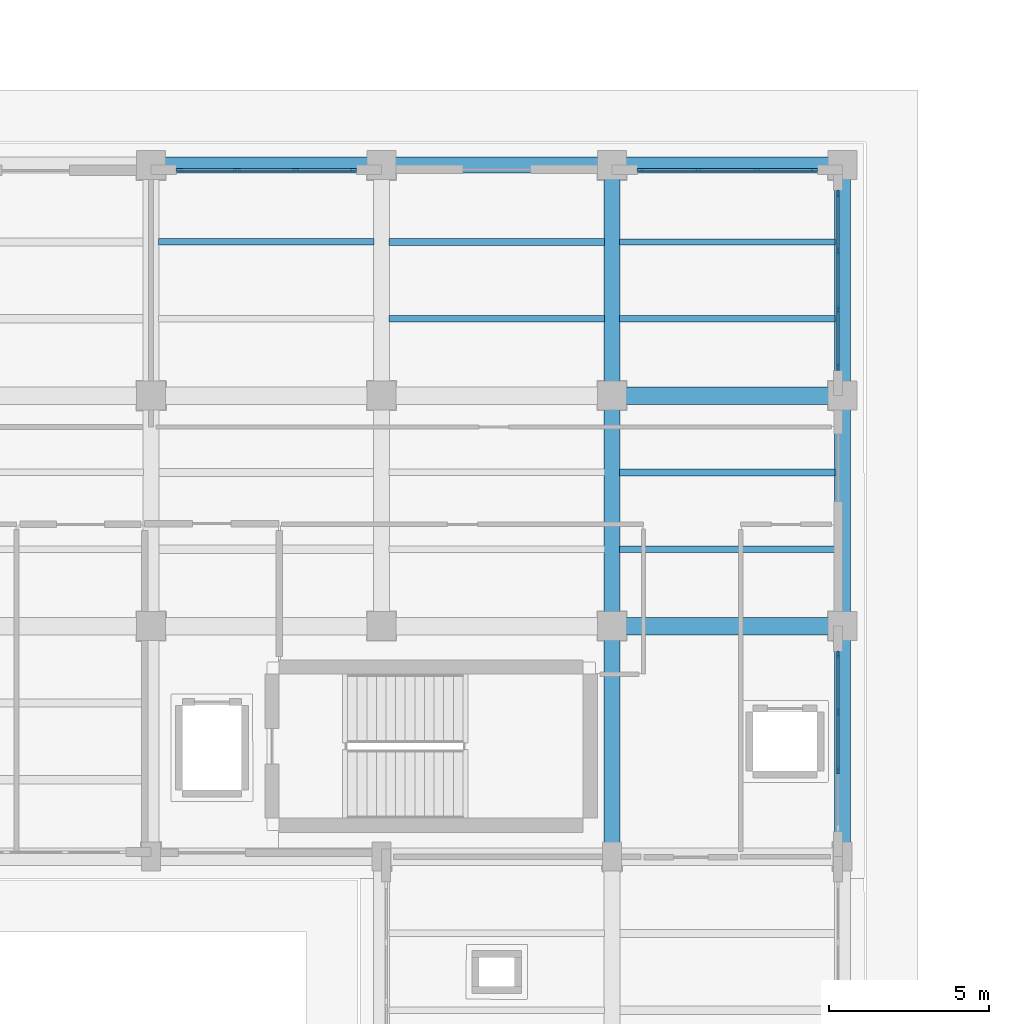
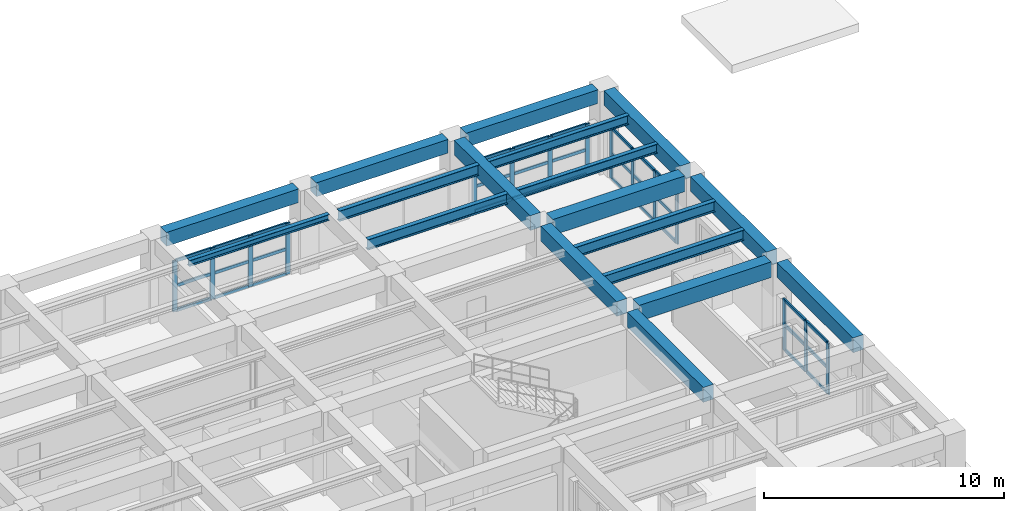
# One storey, part 30 of 64: 48 members, 18 beams, 4 elements without a shape of their own.
"""IFC4 building model written with IfcOpenShell, lengths in metres."""

from ifc_helpers import new_model, si_unit, direction, frame, origin, origin_2d, place, context, subcontext, project, spatial, rectangle, i_section, extrude, material, layer, layer_set, material_profile, profile_set, type_object, element, aggregate, save


model = new_model("IFC4")

# Units and contexts
model_context = context("Model", 3, precision=1e-05, world=origin(), true_north=direction((0.0, 1.0)))
body_context = subcontext(model_context, "Body", "Model", "MODEL_VIEW")
ifc_project = project(units=[si_unit("LENGTHUNIT", "METRE"), si_unit("AREAUNIT", "SQUARE_METRE"), si_unit("VOLUMEUNIT", "CUBIC_METRE"), si_unit("PLANEANGLEUNIT", "RADIAN"), si_unit("MASSUNIT", "GRAM", prefix="KILO")], contexts=[model_context])

# Site, building, storey
site_placement = place(None, origin())
site = spatial("IfcSite", under=ifc_project, at=site_placement, CompositionType="ELEMENT")
building_placement = place(site_placement, origin())
building = spatial("IfcBuilding", under=site, at=building_placement, Name="Solenvale Faculty of Natural Sciences", CompositionType="ELEMENT")
storey_placement = place(building_placement, origin())
storey = spatial("IfcBuildingStorey", under=building, at=storey_placement, Name="L00", CompositionType="ELEMENT", Elevation=0.0)

# Beams
ifc_material_1 = material(Name="Concrete 40 MPa", Category="concrete")
ifc_material_profile_1 = material_profile(ifc_material_1, rectangle(XDim=0.5, YDim=0.75, at=origin_2d()), Name="RC-BM-500x750")
ifc_profile_set_1 = profile_set([ifc_material_profile_1], Name="Concrete 40 MPa")
beam_type_1 = type_object("IfcBeamType", Name="BM-RC-500x750", PredefinedType="BEAM", material=ifc_profile_set_1)
for number, where, z_axis, x_axis, name in (
    (1, (144.0, 94.030029296875, 3.844970703125), (0.0, 1.0, 0.0), (-1.0, 0.0, 0.0), "L00 Y-Girder X144.0 (93.6..100.8)"),
    (2, (144.0, 101.22998046875, 3.844970703125), (0.0, 1.0, 0.0), (-1.0, 0.0, 0.0), "L00 Y-Girder X144.0 (100.8..108.0)"),
    (3, (144.0, 108.429931640625, 3.844970703125), (0.0, 1.0, 0.0), (-1.0, 0.0, 0.0), "L00 Y-Girder X144.0 (108.0..115.2)"),
    (4, (151.199951171875, 94.030029296875, 3.844970703125), (0.0, 1.0, 0.0), (-1.0, 0.0, 0.0), "L00 Y-Girder X151.2 (93.6..100.8)"),
    (5, (151.199951171875, 101.22998046875, 3.844970703125), (0.0, 1.0, 0.0), (-1.0, 0.0, 0.0), "L00 Y-Girder X151.2 (100.8..108.0)"),
    (6, (151.199951171875, 108.429931640625, 3.844970703125), (0.0, 1.0, 0.0), (-1.0, 0.0, 0.0), "L00 Y-Girder X151.2 (108.0..115.2)"),
):
    element("IfcBeam", number, at=place(storey_placement, frame(where, z_axis=z_axis, x_axis=x_axis)), inside=storey, type_object=beam_type_1, Name=name, PredefinedType="BEAM", context=body_context, shape_type="SweptSolid", body=[
        extrude(rectangle(XDim=0.5, YDim=0.75, at=origin_2d()), origin(), (0.0, 0.0, 1.0), 6.340087890625),
    ])
ifc_material_profile_2 = material_profile(ifc_material_1, rectangle(XDim=0.550048828125, YDim=0.800048828125, at=origin_2d()), Name="RC-BM-550x800")
ifc_profile_set_2 = profile_set([ifc_material_profile_2], Name="Concrete 40 MPa")
beam_type_2 = type_object("IfcBeamType", Name="BM-RC-550x800", PredefinedType="BEAM", material=ifc_profile_set_2)
for number, where, z_axis, x_axis, name in (
    (7, (144.429931640625, 100.800048828125, 3.820068359375), (1.0, 0.0, 0.0), (0.0, 1.0, 0.0), "L00 X-Girder Y100.8 (144.0..151.2)"),
    (8, (144.429931640625, 108.0, 3.820068359375), (1.0, 0.0, 0.0), (0.0, 1.0, 0.0), "L00 X-Girder Y108.0 (144.0..151.2)"),
):
    element("IfcBeam", number, at=place(storey_placement, frame(where, z_axis=z_axis, x_axis=x_axis)), inside=storey, type_object=beam_type_2, Name=name, PredefinedType="BEAM", context=body_context, shape_type="SweptSolid", body=[
        extrude(rectangle(XDim=0.550048828125, YDim=0.800048828125, at=origin_2d()), origin(), (0.0, 0.0, 1.0), 6.340087890625),
    ])
ifc_material_2 = material(Name="Precast concrete 40 MPa", Category="concrete")
ifc_material_profile_3 = material_profile(ifc_material_2, rectangle(XDim=0.5, YDim=0.699951171875, at=origin_2d()), Name="RC-BM-500x700")
ifc_profile_set_3 = profile_set([ifc_material_profile_3], Name="Precast concrete 40 MPa")
beam_type_3 = type_object("IfcBeamType", Name="BM-SPN-PRC-700", PredefinedType="SPANDREL", material=ifc_profile_set_3)
for number, where, z_axis, x_axis, name in (
    (9, (130.030029296875, 115.199951171875, 3.8701171875), (1.0, 0.0, 0.0), (0.0, 1.0, 0.0), "L00 X-Girder Y115.2 (129.6..136.8)"),
    (10, (137.22998046875, 115.199951171875, 3.8701171875), (1.0, 0.0, 0.0), (0.0, 1.0, 0.0), "L00 X-Girder Y115.2 (136.8..144.0)"),
    (11, (144.429931640625, 115.199951171875, 3.8701171875), (1.0, 0.0, 0.0), (0.0, 1.0, 0.0), "L00 X-Girder Y115.2 (144.0..151.2)"),
):
    element("IfcBeam", number, at=place(storey_placement, frame(where, z_axis=z_axis, x_axis=x_axis)), inside=storey, type_object=beam_type_3, Name=name, PredefinedType="SPANDREL", context=body_context, shape_type="SweptSolid", body=[
        extrude(rectangle(XDim=0.5, YDim=0.699951171875, at=origin_2d()), origin(), (0.0, 0.0, 1.0), 6.340087890625),
    ])
ifc_material_3 = material(Name="Steel S355", Category="steel")
ifc_material_profile_4 = material_profile(ifc_material_3, i_section(OverallWidth=0.202880859375, OverallDepth=0.302978515625, WebThickness=0.007568359375, FlangeThickness=0.01318359375, FilletRadius=0.014892578125, at=origin_2d()), Name="W310x60")
ifc_profile_set_4 = profile_set([ifc_material_profile_4], Name="Steel S355")
beam_type_4 = type_object("IfcBeamType", Name="BM-STL-W310x60", PredefinedType="JOIST", material=ifc_profile_set_4)
beam_placement = place(storey_placement, frame((129.830078125, 112.800048828125, 4.068603515625), z_axis=(1.0, 0.0, 0.0), x_axis=(0.0, 1.0, 0.0)))
element("IfcBeam", 12, at=beam_placement, inside=storey, type_object=beam_type_4, Name="L00 Composite Floor Joist (19,16).2", PredefinedType="JOIST", context=body_context, shape_type="SweptSolid", body=[
    extrude(i_section(OverallWidth=0.202880859375, OverallDepth=0.302978515625, WebThickness=0.007568359375, FlangeThickness=0.01318359375, FilletRadius=0.014892578125, at=origin_2d()), origin(), (0.0, 0.0, 1.0), 6.739990234375),
])
ifc_material_profile_5 = material_profile(ifc_material_3, i_section(OverallWidth=0.194091796875, OverallDepth=0.468994140625, WebThickness=0.0126953125, FlangeThickness=0.0205078125, FilletRadius=0.01806640625, at=origin_2d()), Name="W460x106")
ifc_profile_set_5 = profile_set([ifc_material_profile_5], Name="Steel S355")
beam_type_5 = type_object("IfcBeamType", Name="BM-STL-W460x106", PredefinedType="JOIST", material=ifc_profile_set_5)
for number, where, z_axis, x_axis, name in (
    (13, (144.22998046875, 110.39990234375, 3.985595703125), (1.0, 0.0, 0.0), (0.0, 1.0, 0.0), "L00 Composite Floor Joist (21,16).1"),
    (14, (144.22998046875, 112.800048828125, 3.985595703125), (1.0, 0.0, 0.0), (0.0, 1.0, 0.0), "L00 Composite Floor Joist (21,16).2"),
):
    element("IfcBeam", number, at=place(storey_placement, frame(where, z_axis=z_axis, x_axis=x_axis)), inside=storey, type_object=beam_type_5, Name=name, PredefinedType="JOIST", context=body_context, shape_type="SweptSolid", body=[
        extrude(i_section(OverallWidth=0.194091796875, OverallDepth=0.468994140625, WebThickness=0.0126953125, FlangeThickness=0.0205078125, FilletRadius=0.01806640625, at=origin_2d()), origin(), (0.0, 0.0, 1.0), 6.739990234375),
    ])
ifc_material_profile_6 = material_profile(ifc_material_3, i_section(OverallWidth=0.208984375, OverallDepth=0.532958984375, WebThickness=0.01025390625, FlangeThickness=0.015625, FilletRadius=0.01904296875, at=origin_2d()), Name="W530x92")
ifc_profile_set_6 = profile_set([ifc_material_profile_6], Name="Steel S355")
beam_type_6 = type_object("IfcBeamType", Name="BM-STL-W530x92", PredefinedType="JOIST", material=ifc_profile_set_6)
for number, where, z_axis, x_axis, name in (
    (15, (137.030029296875, 110.39990234375, 3.95361328125), (1.0, 0.0, 0.0), (0.0, 1.0, 0.0), "L00 Composite Floor Joist (20,16).1"),
    (16, (137.030029296875, 112.800048828125, 3.95361328125), (1.0, 0.0, 0.0), (0.0, 1.0, 0.0), "L00 Composite Floor Joist (20,16).2"),
    (17, (144.22998046875, 103.199951171875, 3.95361328125), (1.0, 0.0, 0.0), (0.0, 1.0, 0.0), "L00 Composite Floor Joist (21,15).1"),
    (18, (144.22998046875, 105.60009765625, 3.95361328125), (1.0, 0.0, 0.0), (0.0, 1.0, 0.0), "L00 Composite Floor Joist (21,15).2"),
):
    element("IfcBeam", number, at=place(storey_placement, frame(where, z_axis=z_axis, x_axis=x_axis)), inside=storey, type_object=beam_type_6, Name=name, PredefinedType="JOIST", context=body_context, shape_type="SweptSolid", body=[
        extrude(i_section(OverallWidth=0.208984375, OverallDepth=0.532958984375, WebThickness=0.01025390625, FlangeThickness=0.015625, FilletRadius=0.01904296875, at=origin_2d()), origin(), (0.0, 0.0, 1.0), 6.739990234375),
    ])

# Curtain wall, members
ifc_material_4 = material(Name="Anodised bronze aluminium", Category="aluminium")
ifc_layer = layer(ifc_material_4, 0.179931640625)
ifc_layer_set = layer_set([ifc_layer], Name="Anodised bronze aluminium")
curtain_wall_type = type_object("IfcCurtainWallType", Name="CW-TWR-MOD", PredefinedType="USERDEFINED", material=ifc_layer_set)
curtain_wall_1_placement = place(storey_placement, origin())
curtain_wall_1 = element("IfcCurtainWall", 19, at=curtain_wall_1_placement, inside=storey, type_object=curtain_wall_type, Name="L00 Curtain Wall CW-L00-P1-E16-B1", ObjectType="UNITISED CURTAIN WALL", PredefinedType="USERDEFINED")
ifc_material_profile_7 = material_profile(ifc_material_4, rectangle(XDim=0.074951171875, YDim=0.2099609375, at=origin_2d()), Name="ALU-MUL-75x210")
ifc_profile_set_7 = profile_set([ifc_material_profile_7], Name="Anodised bronze aluminium")
member_type_1 = type_object("IfcMemberType", Name="CWM-ALU-75x210", PredefinedType="MULLION", material=ifc_profile_set_7)
member_1_placement = place(storey_placement, frame((151.0576171875, 96.283447265625, 0.0), z_axis=(0.0, 0.0, 1.0), x_axis=(-1.0, 0.0, 0.0)))
member_1 = element("IfcMember", 20, at=member_1_placement, type_object=member_type_1, Name="CW-04 mullion 2", PredefinedType="MULLION", context=body_context, shape_type="SweptSolid", body=[
    extrude(rectangle(XDim=0.074951171875, YDim=0.2099609375, at=origin_2d()), origin(), (0.0, 0.0, 1.0), 2.60009765625),
])
member_2_placement = place(storey_placement, frame((151.0576171875, 98.11669921875, 0.0), z_axis=(0.0, 0.0, 1.0), x_axis=(-1.0, 0.0, 0.0)))
member_2 = element("IfcMember", 21, at=member_2_placement, type_object=member_type_1, Name="CW-04 mullion 3", PredefinedType="MULLION", context=body_context, shape_type="SweptSolid", body=[
    extrude(rectangle(XDim=0.074951171875, YDim=0.2099609375, at=origin_2d()), origin(), (0.0, 0.0, 1.0), 2.60009765625),
])
member_3_placement = place(storey_placement, frame((151.0576171875, 99.91259765625, 0.0), z_axis=(0.0, 0.0, 1.0), x_axis=(-1.0, 0.0, 0.0)))
member_3 = element("IfcMember", 22, at=member_3_placement, type_object=member_type_1, Name="CW-04 mullion 4", PredefinedType="MULLION", context=body_context, shape_type="SweptSolid", body=[
    extrude(rectangle(XDim=0.074951171875, YDim=0.2099609375, at=origin_2d()), origin(), (0.0, 0.0, 1.0), 2.60009765625),
])

curtain_wall_2_placement = place(storey_placement, origin())
curtain_wall_2 = element("IfcCurtainWall", 23, at=curtain_wall_2_placement, inside=storey, type_object=curtain_wall_type, Name="L00 Curtain Wall CW-L00-P1-E16-B3", ObjectType="UNITISED CURTAIN WALL", PredefinedType="USERDEFINED")
member_4_placement = place(storey_placement, frame((151.0576171875, 108.887451171875, 0.0), z_axis=(0.0, 0.0, 1.0), x_axis=(-1.0, 0.0, 0.0)))
member_4 = element("IfcMember", 24, at=member_4_placement, type_object=member_type_1, Name="CW-04 mullion 1", PredefinedType="MULLION", context=body_context, shape_type="SweptSolid", body=[
    extrude(rectangle(XDim=0.074951171875, YDim=0.2099609375, at=origin_2d()), origin(), (0.0, 0.0, 1.0), 2.60009765625),
])
member_5_placement = place(storey_placement, frame((151.0576171875, 110.683349609375, 0.0), z_axis=(0.0, 0.0, 1.0), x_axis=(-1.0, 0.0, 0.0)))
member_5 = element("IfcMember", 25, at=member_5_placement, type_object=member_type_1, Name="CW-04 mullion 2", PredefinedType="MULLION", context=body_context, shape_type="SweptSolid", body=[
    extrude(rectangle(XDim=0.074951171875, YDim=0.2099609375, at=origin_2d()), origin(), (0.0, 0.0, 1.0), 2.60009765625),
])
member_6_placement = place(storey_placement, frame((151.0576171875, 112.5166015625, 0.0), z_axis=(0.0, 0.0, 1.0), x_axis=(-1.0, 0.0, 0.0)))
member_6 = element("IfcMember", 26, at=member_6_placement, type_object=member_type_1, Name="CW-04 mullion 3", PredefinedType="MULLION", context=body_context, shape_type="SweptSolid", body=[
    extrude(rectangle(XDim=0.074951171875, YDim=0.2099609375, at=origin_2d()), origin(), (0.0, 0.0, 1.0), 2.60009765625),
])
member_7_placement = place(storey_placement, frame((151.0576171875, 114.3125, 0.0), z_axis=(0.0, 0.0, 1.0), x_axis=(-1.0, 0.0, 0.0)))
member_7 = element("IfcMember", 27, at=member_7_placement, type_object=member_type_1, Name="CW-04 mullion 4", PredefinedType="MULLION", context=body_context, shape_type="SweptSolid", body=[
    extrude(rectangle(XDim=0.074951171875, YDim=0.2099609375, at=origin_2d()), origin(), (0.0, 0.0, 1.0), 2.60009765625),
])

curtain_wall_3_placement = place(storey_placement, origin())
curtain_wall_3 = element("IfcCurtainWall", 28, at=curtain_wall_3_placement, inside=storey, type_object=curtain_wall_type, Name="L00 Curtain Wall CW-L00-P1-E17-B1", ObjectType="UNITISED CURTAIN WALL", PredefinedType="USERDEFINED")
member_8_placement = place(storey_placement, frame((150.3125, 115.0576171875, 0.0), z_axis=(0.0, 0.0, 1.0), x_axis=(0.0, -1.0, 0.0)))
member_8 = element("IfcMember", 29, at=member_8_placement, type_object=member_type_1, Name="CW-04 mullion 1", PredefinedType="MULLION", context=body_context, shape_type="SweptSolid", body=[
    extrude(rectangle(XDim=0.074951171875, YDim=0.2099609375, at=origin_2d()), origin(), (0.0, 0.0, 1.0), 2.60009765625),
])
member_9_placement = place(storey_placement, frame((148.5166015625, 115.0576171875, 0.0), z_axis=(0.0, 0.0, 1.0), x_axis=(0.0, -1.0, 0.0)))
member_9 = element("IfcMember", 30, at=member_9_placement, type_object=member_type_1, Name="CW-04 mullion 2", PredefinedType="MULLION", context=body_context, shape_type="SweptSolid", body=[
    extrude(rectangle(XDim=0.074951171875, YDim=0.2099609375, at=origin_2d()), origin(), (0.0, 0.0, 1.0), 2.60009765625),
])
member_10_placement = place(storey_placement, frame((146.683349609375, 115.0576171875, 0.0), z_axis=(0.0, 0.0, 1.0), x_axis=(0.0, -1.0, 0.0)))
member_10 = element("IfcMember", 31, at=member_10_placement, type_object=member_type_1, Name="CW-04 mullion 3", PredefinedType="MULLION", context=body_context, shape_type="SweptSolid", body=[
    extrude(rectangle(XDim=0.074951171875, YDim=0.2099609375, at=origin_2d()), origin(), (0.0, 0.0, 1.0), 2.60009765625),
])
member_11_placement = place(storey_placement, frame((144.887451171875, 115.0576171875, 0.0), z_axis=(0.0, 0.0, 1.0), x_axis=(0.0, -1.0, 0.0)))
member_11 = element("IfcMember", 32, at=member_11_placement, type_object=member_type_1, Name="CW-04 mullion 4", PredefinedType="MULLION", context=body_context, shape_type="SweptSolid", body=[
    extrude(rectangle(XDim=0.074951171875, YDim=0.2099609375, at=origin_2d()), origin(), (0.0, 0.0, 1.0), 2.60009765625),
])

curtain_wall_4_placement = place(storey_placement, origin())
curtain_wall_4 = element("IfcCurtainWall", 33, at=curtain_wall_4_placement, inside=storey, type_object=curtain_wall_type, Name="L00 Curtain Wall CW-L00-P1-E17-B3", ObjectType="UNITISED CURTAIN WALL", PredefinedType="USERDEFINED")
member_12_placement = place(storey_placement, frame((135.91259765625, 115.0576171875, 0.0), z_axis=(0.0, 0.0, 1.0), x_axis=(0.0, -1.0, 0.0)))
member_12 = element("IfcMember", 34, at=member_12_placement, type_object=member_type_1, Name="CW-04 mullion 1", PredefinedType="MULLION", context=body_context, shape_type="SweptSolid", body=[
    extrude(rectangle(XDim=0.074951171875, YDim=0.2099609375, at=origin_2d()), origin(), (0.0, 0.0, 1.0), 2.60009765625),
])
member_13_placement = place(storey_placement, frame((134.11669921875, 115.0576171875, 0.0), z_axis=(0.0, 0.0, 1.0), x_axis=(0.0, -1.0, 0.0)))
member_13 = element("IfcMember", 35, at=member_13_placement, type_object=member_type_1, Name="CW-04 mullion 2", PredefinedType="MULLION", context=body_context, shape_type="SweptSolid", body=[
    extrude(rectangle(XDim=0.074951171875, YDim=0.2099609375, at=origin_2d()), origin(), (0.0, 0.0, 1.0), 2.60009765625),
])
member_14_placement = place(storey_placement, frame((132.283447265625, 115.0576171875, 0.0), z_axis=(0.0, 0.0, 1.0), x_axis=(0.0, -1.0, 0.0)))
member_14 = element("IfcMember", 36, at=member_14_placement, type_object=member_type_1, Name="CW-04 mullion 3", PredefinedType="MULLION", context=body_context, shape_type="SweptSolid", body=[
    extrude(rectangle(XDim=0.074951171875, YDim=0.2099609375, at=origin_2d()), origin(), (0.0, 0.0, 1.0), 2.60009765625),
])
member_15_placement = place(storey_placement, frame((130.487548828125, 115.0576171875, 0.0), z_axis=(0.0, 0.0, 1.0), x_axis=(0.0, -1.0, 0.0)))
member_15 = element("IfcMember", 37, at=member_15_placement, type_object=member_type_1, Name="CW-04 mullion 4", PredefinedType="MULLION", context=body_context, shape_type="SweptSolid", body=[
    extrude(rectangle(XDim=0.074951171875, YDim=0.2099609375, at=origin_2d()), origin(), (0.0, 0.0, 1.0), 2.60009765625),
])

# Member
ifc_material_profile_8 = material_profile(ifc_material_4, rectangle(XDim=0.074951171875, YDim=0.155029296875, at=origin_2d()), Name="ALU-TRN-75x155")
ifc_profile_set_8 = profile_set([ifc_material_profile_8], Name="Anodised bronze aluminium")
member_type_2 = type_object("IfcMemberType", Name="CWT-ALU-75x155", PredefinedType="USERDEFINED", material=ifc_profile_set_8)
member_16_placement = place(storey_placement, frame((151.0576171875, 96.32080078125, 0.03759765625), z_axis=(0.0, 1.0, 0.0), x_axis=(-1.0, 0.0, 0.0)))
member_16 = element("IfcMember", 38, at=member_16_placement, type_object=member_type_2, Name="CW-04 transom 2.1", ObjectType="TRANSOM", PredefinedType="USERDEFINED", context=body_context, shape_type="SweptSolid", body=[
    extrude(rectangle(XDim=0.074951171875, YDim=0.155029296875, at=origin_2d()), origin(), (0.0, 0.0, 1.0), 1.75830078125),
])

member_17_placement = place(storey_placement, frame((151.0576171875, 96.32080078125, 1.300048828125), z_axis=(0.0, 1.0, 0.0), x_axis=(-1.0, 0.0, 0.0)))
member_17 = element("IfcMember", 39, at=member_17_placement, type_object=member_type_2, Name="CW-04 transom 2.2", ObjectType="TRANSOM", PredefinedType="USERDEFINED", context=body_context, shape_type="SweptSolid", body=[
    extrude(rectangle(XDim=0.074951171875, YDim=0.155029296875, at=origin_2d()), origin(), (0.0, 0.0, 1.0), 1.75830078125),
])

member_18_placement = place(storey_placement, frame((151.0576171875, 96.32080078125, 2.5625), z_axis=(0.0, 1.0, 0.0), x_axis=(-1.0, 0.0, 0.0)))
member_18 = element("IfcMember", 40, at=member_18_placement, type_object=member_type_2, Name="CW-04 transom 2.3", ObjectType="TRANSOM", PredefinedType="USERDEFINED", context=body_context, shape_type="SweptSolid", body=[
    extrude(rectangle(XDim=0.074951171875, YDim=0.155029296875, at=origin_2d()), origin(), (0.0, 0.0, 1.0), 1.75830078125),
])

member_19_placement = place(storey_placement, frame((151.0576171875, 98.154052734375, 0.03759765625), z_axis=(0.0, 1.0, 0.0), x_axis=(-1.0, 0.0, 0.0)))
member_19 = element("IfcMember", 41, at=member_19_placement, type_object=member_type_2, Name="CW-04 transom 3.1", ObjectType="TRANSOM", PredefinedType="USERDEFINED", context=body_context, shape_type="SweptSolid", body=[
    extrude(rectangle(XDim=0.074951171875, YDim=0.155029296875, at=origin_2d()), origin(), (0.0, 0.0, 1.0), 1.720947265625),
])

member_20_placement = place(storey_placement, frame((151.0576171875, 98.154052734375, 1.300048828125), z_axis=(0.0, 1.0, 0.0), x_axis=(-1.0, 0.0, 0.0)))
member_20 = element("IfcMember", 42, at=member_20_placement, type_object=member_type_2, Name="CW-04 transom 3.2", ObjectType="TRANSOM", PredefinedType="USERDEFINED", context=body_context, shape_type="SweptSolid", body=[
    extrude(rectangle(XDim=0.074951171875, YDim=0.155029296875, at=origin_2d()), origin(), (0.0, 0.0, 1.0), 1.720947265625),
])

member_21_placement = place(storey_placement, frame((151.0576171875, 98.154052734375, 2.5625), z_axis=(0.0, 1.0, 0.0), x_axis=(-1.0, 0.0, 0.0)))
member_21 = element("IfcMember", 43, at=member_21_placement, type_object=member_type_2, Name="CW-04 transom 3.3", ObjectType="TRANSOM", PredefinedType="USERDEFINED", context=body_context, shape_type="SweptSolid", body=[
    extrude(rectangle(XDim=0.074951171875, YDim=0.155029296875, at=origin_2d()), origin(), (0.0, 0.0, 1.0), 1.720947265625),
])

aggregate(curtain_wall_1, [member_1, member_2, member_3, member_16, member_17, member_18, member_19, member_20, member_21])

member_22_placement = place(storey_placement, frame((151.0576171875, 108.925048828125, 0.03759765625), z_axis=(0.0, 1.0, 0.0), x_axis=(-1.0, 0.0, 0.0)))
member_22 = element("IfcMember", 44, at=member_22_placement, type_object=member_type_2, Name="CW-04 transom 1.1", ObjectType="TRANSOM", PredefinedType="USERDEFINED", context=body_context, shape_type="SweptSolid", body=[
    extrude(rectangle(XDim=0.074951171875, YDim=0.155029296875, at=origin_2d()), origin(), (0.0, 0.0, 1.0), 1.720703125),
])

member_23_placement = place(storey_placement, frame((151.0576171875, 108.925048828125, 1.300048828125), z_axis=(0.0, 1.0, 0.0), x_axis=(-1.0, 0.0, 0.0)))
member_23 = element("IfcMember", 45, at=member_23_placement, type_object=member_type_2, Name="CW-04 transom 1.2", ObjectType="TRANSOM", PredefinedType="USERDEFINED", context=body_context, shape_type="SweptSolid", body=[
    extrude(rectangle(XDim=0.074951171875, YDim=0.155029296875, at=origin_2d()), origin(), (0.0, 0.0, 1.0), 1.720703125),
])

member_24_placement = place(storey_placement, frame((151.0576171875, 108.925048828125, 2.5625), z_axis=(0.0, 1.0, 0.0), x_axis=(-1.0, 0.0, 0.0)))
member_24 = element("IfcMember", 46, at=member_24_placement, type_object=member_type_2, Name="CW-04 transom 1.3", ObjectType="TRANSOM", PredefinedType="USERDEFINED", context=body_context, shape_type="SweptSolid", body=[
    extrude(rectangle(XDim=0.074951171875, YDim=0.155029296875, at=origin_2d()), origin(), (0.0, 0.0, 1.0), 1.720703125),
])

member_25_placement = place(storey_placement, frame((151.0576171875, 110.720947265625, 0.03759765625), z_axis=(0.0, 1.0, 0.0), x_axis=(-1.0, 0.0, 0.0)))
member_25 = element("IfcMember", 47, at=member_25_placement, type_object=member_type_2, Name="CW-04 transom 2.1", ObjectType="TRANSOM", PredefinedType="USERDEFINED", context=body_context, shape_type="SweptSolid", body=[
    extrude(rectangle(XDim=0.074951171875, YDim=0.155029296875, at=origin_2d()), origin(), (0.0, 0.0, 1.0), 1.75830078125),
])

member_26_placement = place(storey_placement, frame((151.0576171875, 110.720947265625, 1.300048828125), z_axis=(0.0, 1.0, 0.0), x_axis=(-1.0, 0.0, 0.0)))
member_26 = element("IfcMember", 48, at=member_26_placement, type_object=member_type_2, Name="CW-04 transom 2.2", ObjectType="TRANSOM", PredefinedType="USERDEFINED", context=body_context, shape_type="SweptSolid", body=[
    extrude(rectangle(XDim=0.074951171875, YDim=0.155029296875, at=origin_2d()), origin(), (0.0, 0.0, 1.0), 1.75830078125),
])

member_27_placement = place(storey_placement, frame((151.0576171875, 110.720947265625, 2.5625), z_axis=(0.0, 1.0, 0.0), x_axis=(-1.0, 0.0, 0.0)))
member_27 = element("IfcMember", 49, at=member_27_placement, type_object=member_type_2, Name="CW-04 transom 2.3", ObjectType="TRANSOM", PredefinedType="USERDEFINED", context=body_context, shape_type="SweptSolid", body=[
    extrude(rectangle(XDim=0.074951171875, YDim=0.155029296875, at=origin_2d()), origin(), (0.0, 0.0, 1.0), 1.75830078125),
])

member_28_placement = place(storey_placement, frame((151.0576171875, 112.55419921875, 0.03759765625), z_axis=(0.0, 1.0, 0.0), x_axis=(-1.0, 0.0, 0.0)))
member_28 = element("IfcMember", 50, at=member_28_placement, type_object=member_type_2, Name="CW-04 transom 3.1", ObjectType="TRANSOM", PredefinedType="USERDEFINED", context=body_context, shape_type="SweptSolid", body=[
    extrude(rectangle(XDim=0.074951171875, YDim=0.155029296875, at=origin_2d()), origin(), (0.0, 0.0, 1.0), 1.720703125),
])

member_29_placement = place(storey_placement, frame((151.0576171875, 112.55419921875, 1.300048828125), z_axis=(0.0, 1.0, 0.0), x_axis=(-1.0, 0.0, 0.0)))
member_29 = element("IfcMember", 51, at=member_29_placement, type_object=member_type_2, Name="CW-04 transom 3.2", ObjectType="TRANSOM", PredefinedType="USERDEFINED", context=body_context, shape_type="SweptSolid", body=[
    extrude(rectangle(XDim=0.074951171875, YDim=0.155029296875, at=origin_2d()), origin(), (0.0, 0.0, 1.0), 1.720703125),
])

member_30_placement = place(storey_placement, frame((151.0576171875, 112.55419921875, 2.5625), z_axis=(0.0, 1.0, 0.0), x_axis=(-1.0, 0.0, 0.0)))
member_30 = element("IfcMember", 52, at=member_30_placement, type_object=member_type_2, Name="CW-04 transom 3.3", ObjectType="TRANSOM", PredefinedType="USERDEFINED", context=body_context, shape_type="SweptSolid", body=[
    extrude(rectangle(XDim=0.074951171875, YDim=0.155029296875, at=origin_2d()), origin(), (0.0, 0.0, 1.0), 1.720703125),
])

aggregate(curtain_wall_2, [member_4, member_5, member_6, member_7, member_22, member_23, member_24, member_25, member_26, member_27, member_28, member_29, member_30])

member_31_placement = place(storey_placement, frame((150.27490234375, 115.0576171875, 0.03759765625), z_axis=(-1.0, 0.0, 0.0), x_axis=(0.0, -1.0, 0.0)))
member_31 = element("IfcMember", 53, at=member_31_placement, type_object=member_type_2, Name="CW-04 transom 1.1", ObjectType="TRANSOM", PredefinedType="USERDEFINED", context=body_context, shape_type="SweptSolid", body=[
    extrude(rectangle(XDim=0.074951171875, YDim=0.155029296875, at=origin_2d()), origin(), (0.0, 0.0, 1.0), 1.720703125),
])

member_32_placement = place(storey_placement, frame((150.27490234375, 115.0576171875, 1.300048828125), z_axis=(-1.0, 0.0, 0.0), x_axis=(0.0, -1.0, 0.0)))
member_32 = element("IfcMember", 54, at=member_32_placement, type_object=member_type_2, Name="CW-04 transom 1.2", ObjectType="TRANSOM", PredefinedType="USERDEFINED", context=body_context, shape_type="SweptSolid", body=[
    extrude(rectangle(XDim=0.074951171875, YDim=0.155029296875, at=origin_2d()), origin(), (0.0, 0.0, 1.0), 1.720703125),
])

member_33_placement = place(storey_placement, frame((150.27490234375, 115.0576171875, 2.5625), z_axis=(-1.0, 0.0, 0.0), x_axis=(0.0, -1.0, 0.0)))
member_33 = element("IfcMember", 55, at=member_33_placement, type_object=member_type_2, Name="CW-04 transom 1.3", ObjectType="TRANSOM", PredefinedType="USERDEFINED", context=body_context, shape_type="SweptSolid", body=[
    extrude(rectangle(XDim=0.074951171875, YDim=0.155029296875, at=origin_2d()), origin(), (0.0, 0.0, 1.0), 1.720703125),
])

member_34_placement = place(storey_placement, frame((148.479248046875, 115.0576171875, 0.03759765625), z_axis=(-1.0, 0.0, 0.0), x_axis=(0.0, -1.0, 0.0)))
member_34 = element("IfcMember", 56, at=member_34_placement, type_object=member_type_2, Name="CW-04 transom 2.1", ObjectType="TRANSOM", PredefinedType="USERDEFINED", context=body_context, shape_type="SweptSolid", body=[
    extrude(rectangle(XDim=0.074951171875, YDim=0.155029296875, at=origin_2d()), origin(), (0.0, 0.0, 1.0), 1.75830078125),
])

member_35_placement = place(storey_placement, frame((148.479248046875, 115.0576171875, 1.300048828125), z_axis=(-1.0, 0.0, 0.0), x_axis=(0.0, -1.0, 0.0)))
member_35 = element("IfcMember", 57, at=member_35_placement, type_object=member_type_2, Name="CW-04 transom 2.2", ObjectType="TRANSOM", PredefinedType="USERDEFINED", context=body_context, shape_type="SweptSolid", body=[
    extrude(rectangle(XDim=0.074951171875, YDim=0.155029296875, at=origin_2d()), origin(), (0.0, 0.0, 1.0), 1.75830078125),
])

member_36_placement = place(storey_placement, frame((148.479248046875, 115.0576171875, 2.5625), z_axis=(-1.0, 0.0, 0.0), x_axis=(0.0, -1.0, 0.0)))
member_36 = element("IfcMember", 58, at=member_36_placement, type_object=member_type_2, Name="CW-04 transom 2.3", ObjectType="TRANSOM", PredefinedType="USERDEFINED", context=body_context, shape_type="SweptSolid", body=[
    extrude(rectangle(XDim=0.074951171875, YDim=0.155029296875, at=origin_2d()), origin(), (0.0, 0.0, 1.0), 1.75830078125),
])

member_37_placement = place(storey_placement, frame((146.645751953125, 115.0576171875, 0.03759765625), z_axis=(-1.0, 0.0, 0.0), x_axis=(0.0, -1.0, 0.0)))
member_37 = element("IfcMember", 59, at=member_37_placement, type_object=member_type_2, Name="CW-04 transom 3.1", ObjectType="TRANSOM", PredefinedType="USERDEFINED", context=body_context, shape_type="SweptSolid", body=[
    extrude(rectangle(XDim=0.074951171875, YDim=0.155029296875, at=origin_2d()), origin(), (0.0, 0.0, 1.0), 1.720703125),
])

member_38_placement = place(storey_placement, frame((146.645751953125, 115.0576171875, 1.300048828125), z_axis=(-1.0, 0.0, 0.0), x_axis=(0.0, -1.0, 0.0)))
member_38 = element("IfcMember", 60, at=member_38_placement, type_object=member_type_2, Name="CW-04 transom 3.2", ObjectType="TRANSOM", PredefinedType="USERDEFINED", context=body_context, shape_type="SweptSolid", body=[
    extrude(rectangle(XDim=0.074951171875, YDim=0.155029296875, at=origin_2d()), origin(), (0.0, 0.0, 1.0), 1.720703125),
])

member_39_placement = place(storey_placement, frame((146.645751953125, 115.0576171875, 2.5625), z_axis=(-1.0, 0.0, 0.0), x_axis=(0.0, -1.0, 0.0)))
member_39 = element("IfcMember", 61, at=member_39_placement, type_object=member_type_2, Name="CW-04 transom 3.3", ObjectType="TRANSOM", PredefinedType="USERDEFINED", context=body_context, shape_type="SweptSolid", body=[
    extrude(rectangle(XDim=0.074951171875, YDim=0.155029296875, at=origin_2d()), origin(), (0.0, 0.0, 1.0), 1.720703125),
])

aggregate(curtain_wall_3, [member_8, member_9, member_10, member_11, member_31, member_32, member_33, member_34, member_35, member_36, member_37, member_38, member_39])

member_40_placement = place(storey_placement, frame((135.875, 115.0576171875, 0.03759765625), z_axis=(-1.0, 0.0, 0.0), x_axis=(0.0, -1.0, 0.0)))
member_40 = element("IfcMember", 62, at=member_40_placement, type_object=member_type_2, Name="CW-04 transom 1.1", ObjectType="TRANSOM", PredefinedType="USERDEFINED", context=body_context, shape_type="SweptSolid", body=[
    extrude(rectangle(XDim=0.074951171875, YDim=0.155029296875, at=origin_2d()), origin(), (0.0, 0.0, 1.0), 1.720947265625),
])

member_41_placement = place(storey_placement, frame((135.875, 115.0576171875, 1.300048828125), z_axis=(-1.0, 0.0, 0.0), x_axis=(0.0, -1.0, 0.0)))
member_41 = element("IfcMember", 63, at=member_41_placement, type_object=member_type_2, Name="CW-04 transom 1.2", ObjectType="TRANSOM", PredefinedType="USERDEFINED", context=body_context, shape_type="SweptSolid", body=[
    extrude(rectangle(XDim=0.074951171875, YDim=0.155029296875, at=origin_2d()), origin(), (0.0, 0.0, 1.0), 1.720947265625),
])

member_42_placement = place(storey_placement, frame((135.875, 115.0576171875, 2.5625), z_axis=(-1.0, 0.0, 0.0), x_axis=(0.0, -1.0, 0.0)))
member_42 = element("IfcMember", 64, at=member_42_placement, type_object=member_type_2, Name="CW-04 transom 1.3", ObjectType="TRANSOM", PredefinedType="USERDEFINED", context=body_context, shape_type="SweptSolid", body=[
    extrude(rectangle(XDim=0.074951171875, YDim=0.155029296875, at=origin_2d()), origin(), (0.0, 0.0, 1.0), 1.720947265625),
])

member_43_placement = place(storey_placement, frame((134.0791015625, 115.0576171875, 0.03759765625), z_axis=(-1.0, 0.0, 0.0), x_axis=(0.0, -1.0, 0.0)))
member_43 = element("IfcMember", 65, at=member_43_placement, type_object=member_type_2, Name="CW-04 transom 2.1", ObjectType="TRANSOM", PredefinedType="USERDEFINED", context=body_context, shape_type="SweptSolid", body=[
    extrude(rectangle(XDim=0.074951171875, YDim=0.155029296875, at=origin_2d()), origin(), (0.0, 0.0, 1.0), 1.75830078125),
])

member_44_placement = place(storey_placement, frame((134.0791015625, 115.0576171875, 1.300048828125), z_axis=(-1.0, 0.0, 0.0), x_axis=(0.0, -1.0, 0.0)))
member_44 = element("IfcMember", 66, at=member_44_placement, type_object=member_type_2, Name="CW-04 transom 2.2", ObjectType="TRANSOM", PredefinedType="USERDEFINED", context=body_context, shape_type="SweptSolid", body=[
    extrude(rectangle(XDim=0.074951171875, YDim=0.155029296875, at=origin_2d()), origin(), (0.0, 0.0, 1.0), 1.75830078125),
])

member_45_placement = place(storey_placement, frame((134.0791015625, 115.0576171875, 2.5625), z_axis=(-1.0, 0.0, 0.0), x_axis=(0.0, -1.0, 0.0)))
member_45 = element("IfcMember", 67, at=member_45_placement, type_object=member_type_2, Name="CW-04 transom 2.3", ObjectType="TRANSOM", PredefinedType="USERDEFINED", context=body_context, shape_type="SweptSolid", body=[
    extrude(rectangle(XDim=0.074951171875, YDim=0.155029296875, at=origin_2d()), origin(), (0.0, 0.0, 1.0), 1.75830078125),
])

member_46_placement = place(storey_placement, frame((132.245849609375, 115.0576171875, 0.03759765625), z_axis=(-1.0, 0.0, 0.0), x_axis=(0.0, -1.0, 0.0)))
member_46 = element("IfcMember", 68, at=member_46_placement, type_object=member_type_2, Name="CW-04 transom 3.1", ObjectType="TRANSOM", PredefinedType="USERDEFINED", context=body_context, shape_type="SweptSolid", body=[
    extrude(rectangle(XDim=0.074951171875, YDim=0.155029296875, at=origin_2d()), origin(), (0.0, 0.0, 1.0), 1.720947265625),
])

member_47_placement = place(storey_placement, frame((132.245849609375, 115.0576171875, 1.300048828125), z_axis=(-1.0, 0.0, 0.0), x_axis=(0.0, -1.0, 0.0)))
member_47 = element("IfcMember", 69, at=member_47_placement, type_object=member_type_2, Name="CW-04 transom 3.2", ObjectType="TRANSOM", PredefinedType="USERDEFINED", context=body_context, shape_type="SweptSolid", body=[
    extrude(rectangle(XDim=0.074951171875, YDim=0.155029296875, at=origin_2d()), origin(), (0.0, 0.0, 1.0), 1.720947265625),
])

member_48_placement = place(storey_placement, frame((132.245849609375, 115.0576171875, 2.5625), z_axis=(-1.0, 0.0, 0.0), x_axis=(0.0, -1.0, 0.0)))
member_48 = element("IfcMember", 70, at=member_48_placement, type_object=member_type_2, Name="CW-04 transom 3.3", ObjectType="TRANSOM", PredefinedType="USERDEFINED", context=body_context, shape_type="SweptSolid", body=[
    extrude(rectangle(XDim=0.074951171875, YDim=0.155029296875, at=origin_2d()), origin(), (0.0, 0.0, 1.0), 1.720947265625),
])

aggregate(curtain_wall_4, [member_12, member_13, member_14, member_15, member_40, member_41, member_42, member_43, member_44, member_45, member_46, member_47, member_48])

save(model, "model.ifc")
